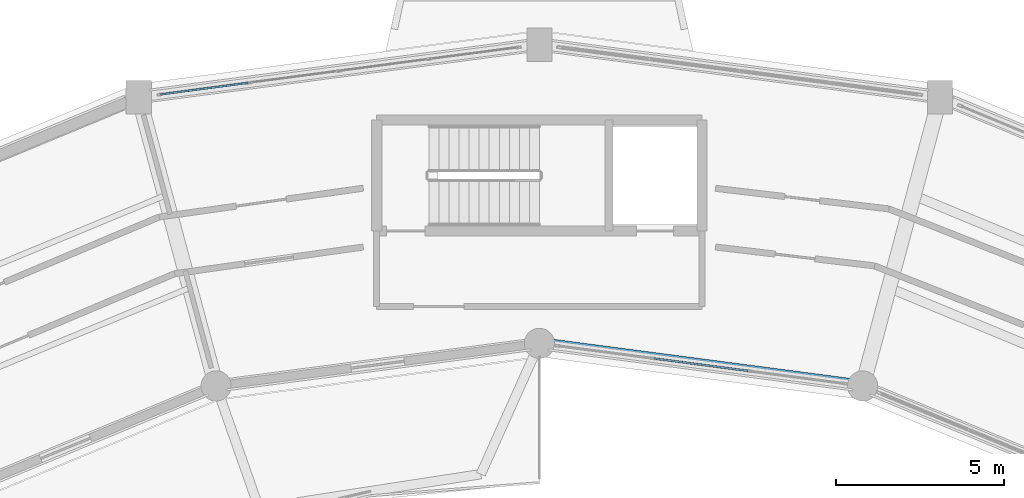
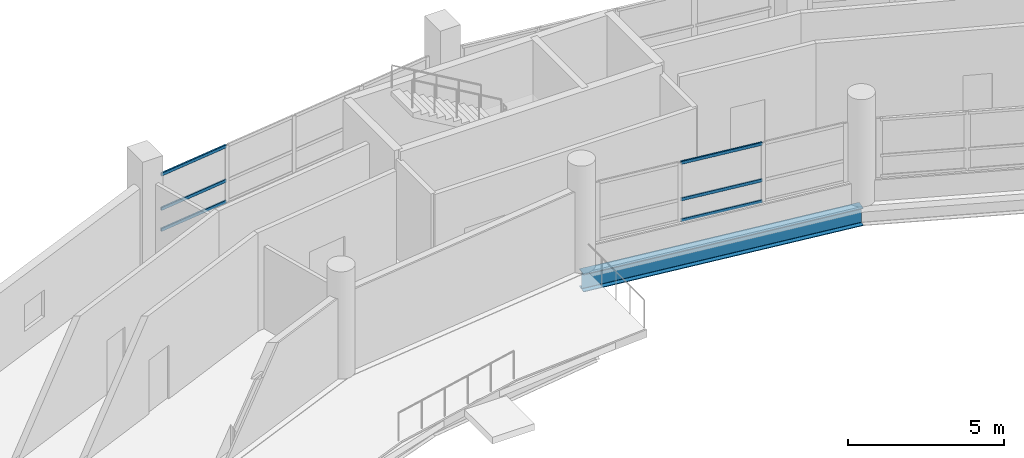
# One storey, part 66 of 128: 6 members, 1 beam, 2 elements without a shape of their own.
"""IFC4 building model written with IfcOpenShell, lengths in metres."""

from ifc_helpers import new_model, si_unit, direction, frame, origin, origin_2d, place, context, subcontext, project, spatial, hollow_rectangle, i_section, extrude, material, layer, layer_set, material_profile, profile_set, type_object, element, aggregate, save


model = new_model("IFC4")

# Units and contexts
model_context = context("Model", 3, precision=1e-05, world=origin(), true_north=direction((0.0, 1.0)))
body_context = subcontext(model_context, "Body", "Model", "MODEL_VIEW")
ifc_project = project(units=[si_unit("LENGTHUNIT", "METRE"), si_unit("AREAUNIT", "SQUARE_METRE"), si_unit("VOLUMEUNIT", "CUBIC_METRE"), si_unit("PLANEANGLEUNIT", "RADIAN"), si_unit("MASSUNIT", "GRAM", prefix="KILO")], contexts=[model_context])

# Site, building, storey
site_placement = place(None, origin())
site = spatial("IfcSite", under=ifc_project, at=site_placement, CompositionType="ELEMENT")
building_placement = place(site_placement, origin())
building = spatial("IfcBuilding", under=site, at=building_placement, Name="Vespera Passage Community Centre", CompositionType="ELEMENT")
storey_placement = place(building_placement, frame((0.0, 0.0, 4.5)))
storey = spatial("IfcBuildingStorey", under=building, at=storey_placement, Name="L01", CompositionType="ELEMENT", Elevation=4.5)

# Beam
ifc_material_1 = material(Name="Steel ASTM A992 Grade 50", Category="steel")
ifc_material_profile_1 = material_profile(ifc_material_1, i_section(OverallWidth=0.3544921875, OverallDepth=0.695556640625, WebThickness=0.015380859375, FlangeThickness=0.024658203125, FilletRadius=0.01513671875, at=origin_2d()), Name="W27X146")
ifc_profile_set_1 = profile_set([ifc_material_profile_1], Name="Steel ASTM A992 Grade 50")
beam_type = type_object("IfcBeamType", Name="BM-SP-W27X146E", PredefinedType="SPANDREL", material=ifc_profile_set_1)
beam_placement = place(storey_placement, frame((87.628173828125, 101.432373046875, -0.587890625), z_axis=(-0.991444794834, 0.130526697639, 0.0), x_axis=(-0.130526697639, -0.991444794834, 0.0)))
element("IfcBeam", 1, at=beam_placement, inside=storey, type_object=beam_type, Name="V4 L01 Inner Spandrel 5", PredefinedType="SPANDREL", context=body_context, shape_type="SweptSolid", body=[
    extrude(i_section(OverallWidth=0.3544921875, OverallDepth=0.695556640625, WebThickness=0.015380859375, FlangeThickness=0.024658203125, FilletRadius=0.01513671875, at=origin_2d()), origin(), (0.0, 0.0, 1.0), 9.711181640625),
])

# Curtain wall, members
ifc_material_2 = material(Name="Anodized aluminium 6063-T6", Category="aluminium")
ifc_layer_1 = layer(ifc_material_2, 0.159912109375)
ifc_layer_set_1 = layer_set([ifc_layer_1], Name="Anodized aluminium 6063-T6")
curtain_wall_type_1 = type_object("IfcCurtainWallType", Name="CW-14E", PredefinedType="NOTDEFINED", material=ifc_layer_set_1)
curtain_wall_1_placement = place(storey_placement, origin())
curtain_wall_1 = element("IfcCurtainWall", 2, at=curtain_wall_1_placement, inside=storey, type_object=curtain_wall_type_1, Name="V4 L01 Inner Court Curtain Wall 5", PredefinedType="NOTDEFINED")
ifc_material_3 = material(Name="Anodized aluminium 6063-T6", Category="aluminium")
ifc_material_profile_2 = material_profile(ifc_material_3, hollow_rectangle(XDim=0.06005859375, YDim=0.1201171875, WallThickness=0.00390625, InnerFilletRadius=0.001953125, OuterFilletRadius=0.00390625, at=origin_2d()), Name="ALU120X60X4")
ifc_profile_set_2 = profile_set([ifc_material_profile_2], Name="Anodized aluminium 6063-T6")
member_type = type_object("IfcMemberType", Name="MB-CWT-120E", PredefinedType="USERDEFINED", material=ifc_profile_set_2)
member_1_placement = place(storey_placement, frame((84.21533203125, 101.881591796875, 0.85009765625), z_axis=(-0.991437826512, 0.130579616175, 0.0), x_axis=(-0.130579616175, -0.991437826512, 0.0)))
member_1 = element("IfcMember", 3, at=member_1_placement, type_object=member_type, Name="CW-14E transom 2.1", ObjectType="TRANSOM", PredefinedType="USERDEFINED", context=body_context, shape_type="SweptSolid", body=[
    extrude(hollow_rectangle(XDim=0.06005859375, YDim=0.1201171875, WallThickness=0.00390625, InnerFilletRadius=0.001953125, OuterFilletRadius=0.00390625, at=origin_2d()), origin(), (0.0, 0.0, 1.0), 2.826904296875),
])
member_2_placement = place(storey_placement, frame((84.21533203125, 101.881591796875, 1.669921875), z_axis=(-0.991437826512, 0.130579616175, 0.0), x_axis=(-0.130579616175, -0.991437826512, 0.0)))
member_2 = element("IfcMember", 4, at=member_2_placement, type_object=member_type, Name="CW-14E transom 2.2", ObjectType="TRANSOM", PredefinedType="USERDEFINED", context=body_context, shape_type="SweptSolid", body=[
    extrude(hollow_rectangle(XDim=0.06005859375, YDim=0.1201171875, WallThickness=0.00390625, InnerFilletRadius=0.001953125, OuterFilletRadius=0.00390625, at=origin_2d()), origin(), (0.0, 0.0, 1.0), 2.826904296875),
])
member_3_placement = place(storey_placement, frame((84.21533203125, 101.881591796875, 3.099609375), z_axis=(-0.991437826512, 0.130579616175, 0.0), x_axis=(-0.130579616175, -0.991437826512, 0.0)))
member_3 = element("IfcMember", 5, at=member_3_placement, type_object=member_type, Name="CW-14E transom 2.3", ObjectType="TRANSOM", PredefinedType="USERDEFINED", context=body_context, shape_type="SweptSolid", body=[
    extrude(hollow_rectangle(XDim=0.06005859375, YDim=0.1201171875, WallThickness=0.00390625, InnerFilletRadius=0.001953125, OuterFilletRadius=0.00390625, at=origin_2d()), origin(), (0.0, 0.0, 1.0), 2.826904296875),
])
aggregate(curtain_wall_1, [member_1, member_2, member_3])

ifc_material_4 = material(Name="Anodized aluminium 6063-T6", Category="aluminium")
ifc_layer_2 = layer(ifc_material_4, 0.159912109375)
ifc_layer_set_2 = layer_set([ifc_layer_2], Name="Anodized aluminium 6063-T6")
curtain_wall_type_2 = type_object("IfcCurtainWallType", Name="CW-15E", PredefinedType="NOTDEFINED", material=ifc_layer_set_2)
curtain_wall_2_placement = place(storey_placement, origin())
curtain_wall_2 = element("IfcCurtainWall", 6, at=curtain_wall_2_placement, inside=storey, type_object=curtain_wall_type_2, Name="V4 L01 Outer Ribbon Curtain Wall 6", PredefinedType="NOTDEFINED")
member_4_placement = place(storey_placement, frame((66.720947265625, 110.114990234375, 0.85009765625), z_axis=(0.991443486455, 0.130536635342, 0.0), x_axis=(-0.130536635342, 0.991443486455, 0.0)))
member_4 = element("IfcMember", 7, at=member_4_placement, type_object=member_type, Name="CW-15E transom 1.1", ObjectType="TRANSOM", PredefinedType="USERDEFINED", context=body_context, shape_type="SweptSolid", body=[
    extrude(hollow_rectangle(XDim=0.06005859375, YDim=0.1201171875, WallThickness=0.00390625, InnerFilletRadius=0.001953125, OuterFilletRadius=0.00390625, at=origin_2d()), origin(), (0.0, 0.0, 1.0), 2.61474609375),
])
member_5_placement = place(storey_placement, frame((66.720947265625, 110.114990234375, 1.669921875), z_axis=(0.991443486455, 0.130536635342, 0.0), x_axis=(-0.130536635342, 0.991443486455, 0.0)))
member_5 = element("IfcMember", 8, at=member_5_placement, type_object=member_type, Name="CW-15E transom 1.2", ObjectType="TRANSOM", PredefinedType="USERDEFINED", context=body_context, shape_type="SweptSolid", body=[
    extrude(hollow_rectangle(XDim=0.06005859375, YDim=0.1201171875, WallThickness=0.00390625, InnerFilletRadius=0.001953125, OuterFilletRadius=0.00390625, at=origin_2d()), origin(), (0.0, 0.0, 1.0), 2.61474609375),
])
member_6_placement = place(storey_placement, frame((66.720947265625, 110.114990234375, 3.015625), z_axis=(0.991443486455, 0.130536635342, 0.0), x_axis=(-0.130536635342, 0.991443486455, 0.0)))
member_6 = element("IfcMember", 9, at=member_6_placement, type_object=member_type, Name="CW-15E transom 1.3", ObjectType="TRANSOM", PredefinedType="USERDEFINED", context=body_context, shape_type="SweptSolid", body=[
    extrude(hollow_rectangle(XDim=0.06005859375, YDim=0.1201171875, WallThickness=0.00390625, InnerFilletRadius=0.001953125, OuterFilletRadius=0.00390625, at=origin_2d()), origin(), (0.0, 0.0, 1.0), 2.61474609375),
])
aggregate(curtain_wall_2, [member_4, member_5, member_6])

save(model, "model.ifc")
